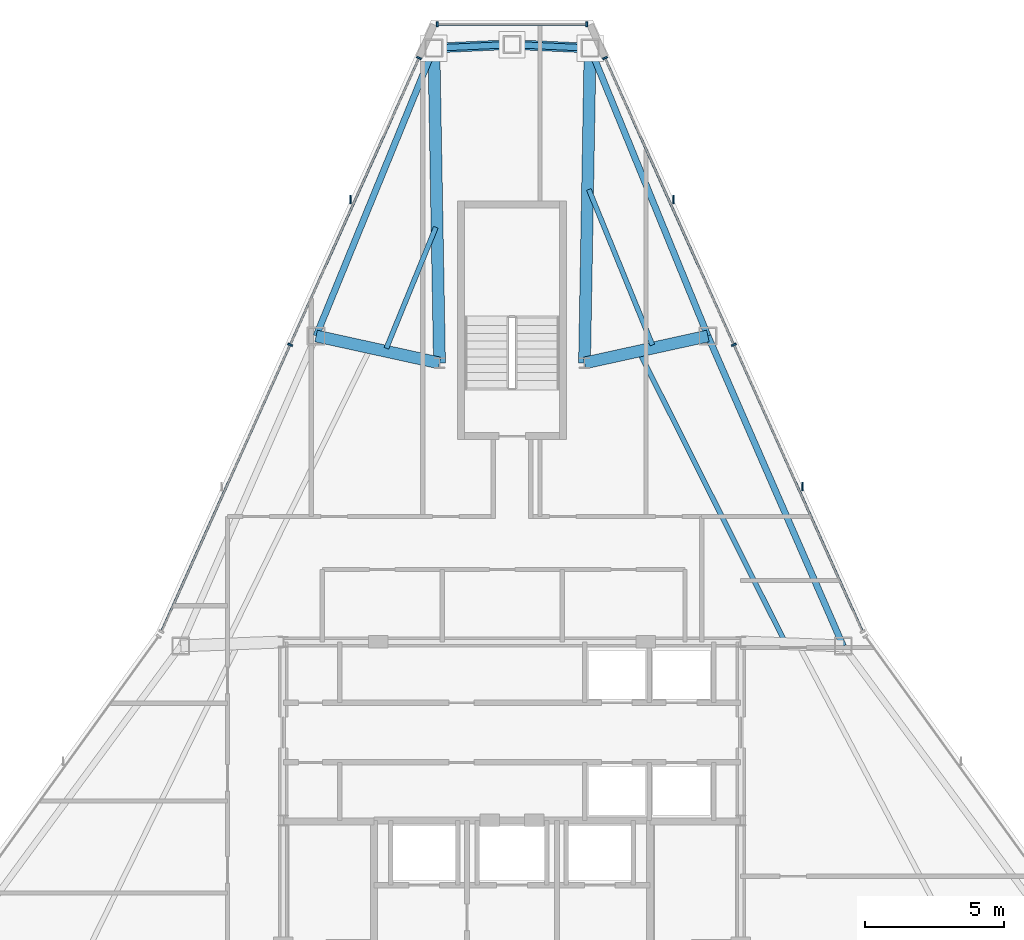
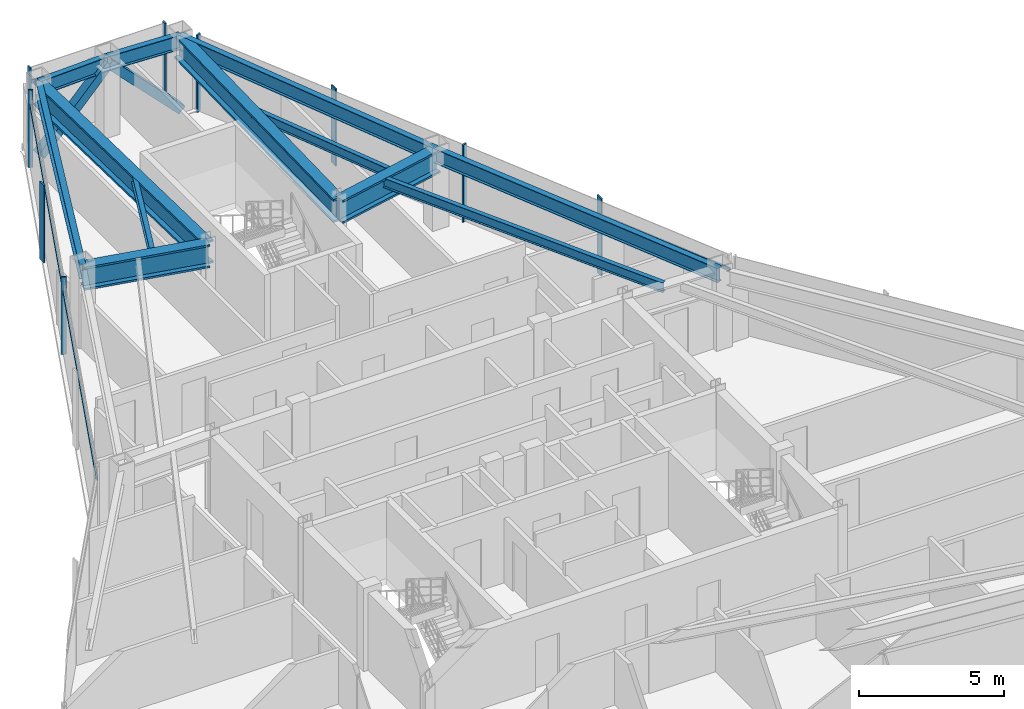
# One storey, part 7 of 12: 14 members, 12 beams, 3 elements without a shape of their own.
"""IFC4 building model written with IfcOpenShell, lengths in metres."""

from ifc_helpers import new_model, si_unit, direction, frame, origin, origin_2d, place, context, subcontext, project, spatial, rectangle, hollow_rectangle, i_section, extrude, source, transform, mapped, material, layer, layer_set, material_profile, profile_set, type_object, type_shapes, element, aggregate, save


model = new_model("IFC4")

# Units and contexts
model_context = context("Model", 3, precision=1e-05, world=origin(), true_north=direction((0.0, 1.0)))
body_context = subcontext(model_context, "Body", "Model", "MODEL_VIEW")
ifc_project = project(units=[si_unit("LENGTHUNIT", "METRE"), si_unit("AREAUNIT", "SQUARE_METRE"), si_unit("VOLUMEUNIT", "CUBIC_METRE"), si_unit("PLANEANGLEUNIT", "RADIAN"), si_unit("MASSUNIT", "GRAM", prefix="KILO")], contexts=[model_context])

# Site, building, storey
site_placement = place(None, origin())
site = spatial("IfcSite", under=ifc_project, at=site_placement, CompositionType="ELEMENT")
building_placement = place(site_placement, origin())
building = spatial("IfcBuilding", under=site, at=building_placement, Name="Varakhsha Concourse Tower", CompositionType="ELEMENT")
storey_placement = place(building_placement, frame((0.0, 0.0, 262.0)))
storey = spatial("IfcBuildingStorey", under=building, at=storey_placement, Name="L74", CompositionType="ELEMENT", Elevation=262.0)

# Beams
ifc_material_1 = material(Name="Structural Steel ASTM A992 Grade 50", Category="steel")
ifc_material_profile_1 = material_profile(ifc_material_1, i_section(OverallWidth=0.177978515625, OverallDepth=0.406982421875, WebThickness=0.008056640625, FlangeThickness=0.012939453125, at=origin_2d()), Name="W16X40")
ifc_profile_set_1 = profile_set([ifc_material_profile_1], Name="Structural Steel ASTM A992 Grade 50")
beam_type_1 = type_object("IfcBeamType", Name="BM-JST-W16X40", PredefinedType="JOIST", material=ifc_profile_set_1)
beam_1_placement = place(storey_placement, frame((37.270263671875, 46.06591796875, 3.04638671875), z_axis=(-0.378645015477, -0.925541977576, 0.0), x_axis=(0.925541977576, -0.378645015477, 0.0)))
element("IfcBeam", 1, at=beam_1_placement, inside=storey, type_object=beam_type_1, Name="BM-TJST-L74-03", PredefinedType="JOIST", context=body_context, shape_type="SweptSolid", body=[
    extrude(i_section(OverallWidth=0.177978515625, OverallDepth=0.406982421875, WebThickness=0.008056640625, FlangeThickness=0.012939453125, at=origin_2d()), origin(), (0.0, 0.0, 1.0), 4.686767578125),
])
beam_2_placement = place(storey_placement, frame((49.767333984375, 31.23486328125, 3.04638671875), z_axis=(-0.448984495449, 0.893539547444, 0.0), x_axis=(-0.893539547444, -0.448984495449, 0.0)))
element("IfcBeam", 2, at=beam_2_placement, inside=storey, type_object=beam_type_1, Name="BM-TJST-L74-17", PredefinedType="JOIST", context=body_context, shape_type="SweptSolid", body=[
    extrude(i_section(OverallWidth=0.177978515625, OverallDepth=0.406982421875, WebThickness=0.008056640625, FlangeThickness=0.012939453125, at=origin_2d()), origin(), (0.0, 0.0, 1.0), 11.51953125),
])
beam_3_placement = place(storey_placement, frame((45.034912109375, 41.84423828125, 3.04638671875), z_axis=(-0.378596554977, 0.925561801588, 0.0), x_axis=(-0.925561801588, -0.378596554977, 0.0)))
element("IfcBeam", 3, at=beam_3_placement, inside=storey, type_object=beam_type_1, Name="BM-TJST-L74-18", PredefinedType="JOIST", context=body_context, shape_type="SweptSolid", body=[
    extrude(i_section(OverallWidth=0.177978515625, OverallDepth=0.406982421875, WebThickness=0.008056640625, FlangeThickness=0.012939453125, at=origin_2d()), origin(), (0.0, 0.0, 1.0), 6.02490234375),
])
ifc_material_profile_2 = material_profile(ifc_material_1, i_section(OverallWidth=0.22900390625, OverallDepth=0.612060546875, WebThickness=0.011962890625, FlangeThickness=0.02001953125, at=origin_2d()), Name="W24X84")
ifc_profile_set_2 = profile_set([ifc_material_profile_2], Name="Structural Steel ASTM A992 Grade 50")
beam_type_2 = type_object("IfcBeamType", Name="BM-SPAN-W24X84", PredefinedType="SPANDREL", material=ifc_profile_set_2)
for number, where, z_axis, x_axis, name in (
    (4, (42.80029296875, 52.489990234375, 2.944091796875), (-0.998969976315, 0.045376055594, 0.0), (-0.045376055594, -0.998969976315, 0.0), "BM-SPAN-L74-01"),
    (5, (40.0, 52.6171875, 2.944091796875), (-0.998969976315, -0.045376055594, 0.0), (0.045376055594, -0.998969976315, 0.0), "BM-SPAN-L74-02"),
):
    element("IfcBeam", number, at=place(storey_placement, frame(where, z_axis=z_axis, x_axis=x_axis)), inside=storey, type_object=beam_type_2, Name=name, PredefinedType="SPANDREL", context=body_context, shape_type="SweptSolid", body=[
        extrude(i_section(OverallWidth=0.22900390625, OverallDepth=0.612060546875, WebThickness=0.011962890625, FlangeThickness=0.02001953125, at=origin_2d()), origin(), (0.0, 0.0, 1.0), 2.80322265625),
    ])
beam_4_placement = place(storey_placement, frame((37.19970703125, 52.489990234375, 2.944091796875), z_axis=(-0.37863796052, -0.925544863771, 0.0), x_axis=(0.925544863771, -0.37863796052, 0.0)))
element("IfcBeam", 6, at=beam_4_placement, inside=storey, type_object=beam_type_2, Name="BM-SPAN-L74-03", PredefinedType="SPANDREL", context=body_context, shape_type="SweptSolid", body=[
    extrude(i_section(OverallWidth=0.22900390625, OverallDepth=0.612060546875, WebThickness=0.011962890625, FlangeThickness=0.02001953125, at=origin_2d()), origin(), (0.0, 0.0, 1.0), 11.151611328125),
])
beam_5_placement = place(storey_placement, frame((51.874267578125, 31.0556640625, 2.944091796875), z_axis=(-0.400099437724, 0.916471734388, 0.0), x_axis=(-0.916471734388, -0.400099437724, 0.0)))
element("IfcBeam", 7, at=beam_5_placement, inside=storey, type_object=beam_type_2, Name="BM-SPAN-L74-17", PredefinedType="SPANDREL", context=body_context, shape_type="SweptSolid", body=[
    extrude(i_section(OverallWidth=0.22900390625, OverallDepth=0.612060546875, WebThickness=0.011962890625, FlangeThickness=0.02001953125, at=origin_2d()), origin(), (0.0, 0.0, 1.0), 12.1259765625),
])
beam_6_placement = place(storey_placement, frame((47.022705078125, 42.168701171875, 2.944091796875), z_axis=(-0.37863796052, 0.925544863771, 0.0), x_axis=(-0.925544863771, -0.37863796052, 0.0)))
element("IfcBeam", 8, at=beam_6_placement, inside=storey, type_object=beam_type_2, Name="BM-SPAN-L74-18", PredefinedType="SPANDREL", context=body_context, shape_type="SweptSolid", body=[
    extrude(i_section(OverallWidth=0.22900390625, OverallDepth=0.612060546875, WebThickness=0.011962890625, FlangeThickness=0.02001953125, at=origin_2d()), origin(), (0.0, 0.0, 1.0), 11.151611328125),
])
ifc_material_profile_3 = material_profile(ifc_material_1, i_section(OverallWidth=0.427978515625, OverallDepth=0.97509765625, WebThickness=0.050048828125, FlangeThickness=0.0810546875, at=origin_2d()), Name="W36X395")
ifc_profile_set_3 = profile_set([ifc_material_profile_3], Name="Structural Steel ASTM A992 Grade 50")
beam_type_3 = type_object("IfcBeamType", Name="BM-XFER-W36X395", PredefinedType="USERDEFINED", material=ifc_profile_set_3)
for number, where, z_axis, x_axis, name in (
    (9, (42.60009765625, 41.199951171875, 2.762451171875), (0.017729243063, 0.999842824618, 0.0), (-0.999842824618, 0.017729243063, 0.0), "L74 Radial Floor Girder 01"),
    (10, (37.39990234375, 41.199951171875, 2.762451171875), (-0.017729243063, 0.999842824618, 0.0), (-0.999842824618, -0.017729243063, 0.0), "L74 Radial Floor Girder 03"),
):
    element("IfcBeam", number, at=place(storey_placement, frame(where, z_axis=z_axis, x_axis=x_axis)), inside=storey, type_object=beam_type_3, Name=name, ObjectType="GIRDER", PredefinedType="USERDEFINED", context=body_context, shape_type="SweptSolid", body=[
        extrude(i_section(OverallWidth=0.427978515625, OverallDepth=0.97509765625, WebThickness=0.050048828125, FlangeThickness=0.0810546875, at=origin_2d()), origin(), (0.0, 0.0, 1.0), 11.291748046875),
    ])
for number, where, z_axis, x_axis, name in (
    (11, (37.39990234375, 41.199951171875, 2.762451171875), (-0.976839822621, 0.213971869509, 0.0), (-0.213971869509, -0.976839822621, 0.0), "L74 Radial Floor Girder 04"),
    (12, (42.60009765625, 41.199951171875, 2.762451171875), (0.976839822621, 0.213971869509, 0.0), (-0.213971869509, 0.976839822621, 0.0), "L74 Radial Floor Girder 18"),
):
    element("IfcBeam", number, at=place(storey_placement, frame(where, z_axis=z_axis, x_axis=x_axis)), inside=storey, type_object=beam_type_3, Name=name, ObjectType="GIRDER", PredefinedType="USERDEFINED", context=body_context, shape_type="SweptSolid", body=[
        extrude(i_section(OverallWidth=0.427978515625, OverallDepth=0.97509765625, WebThickness=0.050048828125, FlangeThickness=0.0810546875, at=origin_2d()), origin(), (0.0, 0.0, 1.0), 4.52734375),
    ])

# Members
ifc_material_2 = material(Name="Structural Steel ASTM A500 Grade C", Category="steel")
ifc_material_profile_4 = material_profile(ifc_material_2, hollow_rectangle(XDim=0.35009765625, YDim=0.35009765625, WallThickness=0.01611328125, at=origin_2d()), Name="HSS 350x350x16")
ifc_profile_set_4 = profile_set([ifc_material_profile_4], Name="Structural Steel ASTM A500 Grade C")
member_type_1 = type_object("IfcMemberType", Name="MB-TUBE-HSS350", PredefinedType="BRACE", material=ifc_profile_set_4)
shared_shape_1 = source(origin(), body_context, "Body", "SweptSolid", [
    extrude(hollow_rectangle(XDim=0.35009765625, YDim=0.35009765625, WallThickness=0.01611328125, at=origin_2d()), origin(), (0.0, 0.0, 1.0), 3.983154296875),
])
type_shapes(member_type_1, [shared_shape_1])
for number, where, z_axis, x_axis, name in (
    (13, (42.80029296875, 52.489990234375, 0.1201171875), (-0.703028211157, 0.031933539495, 0.710444637796), (-0.045376055594, -0.998969976315, 0.0), "L74 Wind-Corner Tube Brace B01"),
    (14, (37.19970703125, 52.489990234375, 0.1201171875), (0.703028211157, 0.031933539495, 0.710444637796), (-0.045376055594, 0.998969976315, 0.0), "L74 Wind-Corner Tube Brace B02"),
):
    element("IfcMember", number, at=place(storey_placement, frame(where, z_axis=z_axis, x_axis=x_axis)), inside=storey, type_object=member_type_1, Name=name, PredefinedType="BRACE", context=body_context, shape_type="MappedRepresentation", body=[
        mapped(shared_shape_1, transform((0.0, 0.0, 0.0), scale=1.0)),
    ])

# Curtain wall, members
ifc_material_3 = material(Name="Anodised Bronze Architectural Aluminium AA 6063-T6", Category="aluminium")
ifc_layer = layer(ifc_material_3, 0.199951171875, Name="CW-SYS-05")
ifc_layer_set = layer_set([ifc_layer], Name="Anodised Bronze Architectural Aluminium AA 6063-T6")
curtain_wall_type = type_object("IfcCurtainWallType", Name="CW-SYS-05", PredefinedType="NOTDEFINED", material=ifc_layer_set)
curtain_wall_1_placement = place(storey_placement, origin())
curtain_wall_1 = element("IfcCurtainWall", 15, at=curtain_wall_1_placement, inside=storey, type_object=curtain_wall_type, Name="L74 Chamfer Curtain Wall F1", PredefinedType="NOTDEFINED")
ifc_material_profile_5 = material_profile(ifc_material_3, rectangle(XDim=0.06494140625, YDim=0.179931640625, at=origin_2d()), Name="CWM-180X65")
ifc_profile_set_5 = profile_set([ifc_material_profile_5], Name="Anodised Bronze Architectural Aluminium AA 6063-T6")
member_type_2 = type_object("IfcMemberType", Name="CWM-180X65", PredefinedType="MULLION", material=ifc_profile_set_5)
shared_shape_2 = source(origin(), body_context, "Body", "SweptSolid", [
    extrude(rectangle(XDim=0.06494140625, YDim=0.179931640625, at=origin_2d()), origin(), (0.0, 0.0, 1.0), 3.25),
])
type_shapes(member_type_2, [shared_shape_2])
member_1_placement = place(storey_placement, frame((37.320068359375, 53.337158203125, 0.0), z_axis=(0.0, 0.0, 1.0), x_axis=(1.0, 0.0, 0.0)))
member_1 = element("IfcMember", 16, at=member_1_placement, type_object=member_type_2, Name="CW-L74-F1 Mullion 00", PredefinedType="MULLION", context=body_context, shape_type="MappedRepresentation", body=[
    mapped(shared_shape_2, transform((0.0, 0.0, 0.0), scale=1.0)),
])
member_2_placement = place(storey_placement, frame((42.679931640625, 53.337158203125, 0.0), z_axis=(0.0, 0.0, 1.0), x_axis=(1.0, 0.0, 0.0)))
member_2 = element("IfcMember", 17, at=member_2_placement, type_object=member_type_2, Name="CW-L74-F1 Mullion 01", PredefinedType="MULLION", context=body_context, shape_type="MappedRepresentation", body=[
    mapped(shared_shape_2, transform((0.0, 0.0, 0.0), scale=1.0)),
])

curtain_wall_2_placement = place(storey_placement, origin())
curtain_wall_2 = element("IfcCurtainWall", 18, at=curtain_wall_2_placement, inside=storey, type_object=curtain_wall_type, Name="L74 Crystal Curtain Wall F2", PredefinedType="NOTDEFINED")
member_3_placement = place(storey_placement, frame((32.046142578125, 41.8525390625, 0.0), z_axis=(0.0, 0.0, 1.0), x_axis=(0.409661937266, 0.912237412714, 0.0)))
member_3 = element("IfcMember", 19, at=member_3_placement, type_object=member_type_2, Name="CW-L74-F2 Mullion 01", PredefinedType="MULLION", context=body_context, shape_type="MappedRepresentation", body=[
    mapped(shared_shape_2, transform((0.0, 0.0, 0.0), scale=1.0)),
])
member_4_placement = place(storey_placement, frame((36.664306640625, 52.13623046875, 0.0), z_axis=(0.0, 0.0, 1.0), x_axis=(0.409661937266, 0.912237412714, 0.0)))
member_4 = element("IfcMember", 20, at=member_4_placement, type_object=member_type_2, Name="CW-L74-F2 Mullion 02", PredefinedType="MULLION", context=body_context, shape_type="MappedRepresentation", body=[
    mapped(shared_shape_2, transform((0.0, 0.0, 0.0), scale=1.0)),
])

curtain_wall_3_placement = place(storey_placement, origin())
curtain_wall_3 = element("IfcCurtainWall", 21, at=curtain_wall_3_placement, inside=storey, type_object=curtain_wall_type, Name="L74 Crystal Curtain Wall F9", PredefinedType="NOTDEFINED")
member_5_placement = place(storey_placement, frame((43.335693359375, 52.13623046875, 0.0), z_axis=(0.0, 0.0, 1.0), x_axis=(0.409661937266, -0.912237412714, 0.0)))
member_5 = element("IfcMember", 22, at=member_5_placement, type_object=member_type_2, Name="CW-L74-F9 Mullion 00", PredefinedType="MULLION", context=body_context, shape_type="MappedRepresentation", body=[
    mapped(shared_shape_2, transform((0.0, 0.0, 0.0), scale=1.0)),
])
member_6_placement = place(storey_placement, frame((47.953857421875, 41.8525390625, 0.0), z_axis=(0.0, 0.0, 1.0), x_axis=(0.409661937266, -0.912237412714, 0.0)))
member_6 = element("IfcMember", 23, at=member_6_placement, type_object=member_type_2, Name="CW-L74-F9 Mullion 01", PredefinedType="MULLION", context=body_context, shape_type="MappedRepresentation", body=[
    mapped(shared_shape_2, transform((0.0, 0.0, 0.0), scale=1.0)),
])

# Member
ifc_material_profile_6 = material_profile(ifc_material_3, rectangle(XDim=0.054931640625, YDim=0.300048828125, at=origin_2d()), Name="FIN-BRZ-300")
ifc_profile_set_6 = profile_set([ifc_material_profile_6], Name="Anodised Bronze Architectural Aluminium AA 6063-T6")
member_type_3 = type_object("IfcMemberType", Name="FIN-BRZ-300", PredefinedType="USERDEFINED", material=ifc_profile_set_6)
shared_shape_3 = source(origin(), body_context, "Body", "SweptSolid", [
    extrude(rectangle(XDim=0.054931640625, YDim=0.300048828125, at=origin_2d()), origin(), (0.0, 0.0, 1.0), 3.25),
])
type_shapes(member_type_3, [shared_shape_3])
member_7_placement = place(storey_placement, frame((34.20458984375, 47.06201171875, 0.0), z_axis=(0.0, 0.0, 1.0), x_axis=(1.0, 0.0, 0.0)))
member_7 = element("IfcMember", 24, at=member_7_placement, type_object=member_type_3, Name="L74 Anodised Bronze Solar Fin F2-2", ObjectType="SOLAR FIN", PredefinedType="USERDEFINED", context=body_context, shape_type="MappedRepresentation", body=[
    mapped(shared_shape_3, transform((0.0, 0.0, 0.0), scale=1.0)),
])

member_8_placement = place(storey_placement, frame((45.79541015625, 47.06201171875, 0.0), z_axis=(0.0, 0.0, 1.0), x_axis=(1.0, 0.0, 0.0)))
member_8 = element("IfcMember", 25, at=member_8_placement, type_object=member_type_3, Name="L74 Anodised Bronze Solar Fin F9-1", ObjectType="SOLAR FIN", PredefinedType="USERDEFINED", context=body_context, shape_type="MappedRepresentation", body=[
    mapped(shared_shape_3, transform((0.0, 0.0, 0.0), scale=1.0)),
])

member_9_placement = place(storey_placement, frame((50.41357421875, 36.7783203125, 0.0), z_axis=(0.0, 0.0, 1.0), x_axis=(1.0, 0.0, 0.0)))
member_9 = element("IfcMember", 26, at=member_9_placement, type_object=member_type_3, Name="L74 Anodised Bronze Solar Fin F9-2", ObjectType="SOLAR FIN", PredefinedType="USERDEFINED", context=body_context, shape_type="MappedRepresentation", body=[
    mapped(shared_shape_3, transform((0.0, 0.0, 0.0), scale=1.0)),
])

ifc_material_profile_7 = material_profile(ifc_material_3, rectangle(XDim=0.06005859375, YDim=0.139892578125, at=origin_2d()), Name="CWT-140X60")
ifc_profile_set_7 = profile_set([ifc_material_profile_7], Name="Anodised Bronze Architectural Aluminium AA 6063-T6")
member_type_4 = type_object("IfcMemberType", Name="CWT-140X60", PredefinedType="USERDEFINED", material=ifc_profile_set_7)
shared_shape_4 = source(origin(), body_context, "Body", "SweptSolid", [
    extrude(rectangle(XDim=0.06005859375, YDim=0.139892578125, at=origin_2d()), origin(), (0.0, 0.0, 1.0), 5.35986328125),
])
member_10_placement = place(storey_placement, frame((37.320068359375, 53.337158203125, 2.60009765625), z_axis=(1.0, 0.0, 0.0), x_axis=(0.0, 1.0, 0.0)))
member_10 = element("IfcMember", 27, at=member_10_placement, type_object=member_type_4, Name="CW-L74-F1 Transom 01", ObjectType="TRANSOM", PredefinedType="USERDEFINED", context=body_context, shape_type="MappedRepresentation", body=[
    mapped(shared_shape_4, transform((0.0, 0.0, 0.0), scale=1.0)),
])

aggregate(curtain_wall_1, [member_1, member_2, member_10])

shared_shape_5 = source(origin(), body_context, "Body", "SweptSolid", [
    extrude(rectangle(XDim=0.06005859375, YDim=0.139892578125, at=origin_2d()), origin(), (0.0, 0.0, 1.0), 22.5458984375),
])
type_shapes(member_type_4, [shared_shape_4, shared_shape_5])
member_11_placement = place(storey_placement, frame((27.427978515625, 31.569091796875, 2.60009765625), z_axis=(0.40966801453, 0.91223468355, 0.0), x_axis=(-0.91223468355, 0.40966801453, 0.0)))
member_11 = element("IfcMember", 28, at=member_11_placement, type_object=member_type_4, Name="CW-L74-F2 Transom 01", ObjectType="TRANSOM", PredefinedType="USERDEFINED", context=body_context, shape_type="MappedRepresentation", body=[
    mapped(shared_shape_5, transform((0.0, 0.0, 0.0), scale=1.0)),
])

aggregate(curtain_wall_2, [member_3, member_4, member_11, member_7])

member_12_placement = place(storey_placement, frame((43.335693359375, 52.13623046875, 2.60009765625), z_axis=(0.40966801453, -0.91223468355, 0.0), x_axis=(0.91223468355, 0.40966801453, 0.0)))
member_12 = element("IfcMember", 29, at=member_12_placement, type_object=member_type_4, Name="CW-L74-F9 Transom 01", ObjectType="TRANSOM", PredefinedType="USERDEFINED", context=body_context, shape_type="MappedRepresentation", body=[
    mapped(shared_shape_5, transform((0.0, 0.0, 0.0), scale=1.0)),
])

aggregate(curtain_wall_3, [member_5, member_6, member_12, member_8, member_9])

save(model, "model.ifc")
